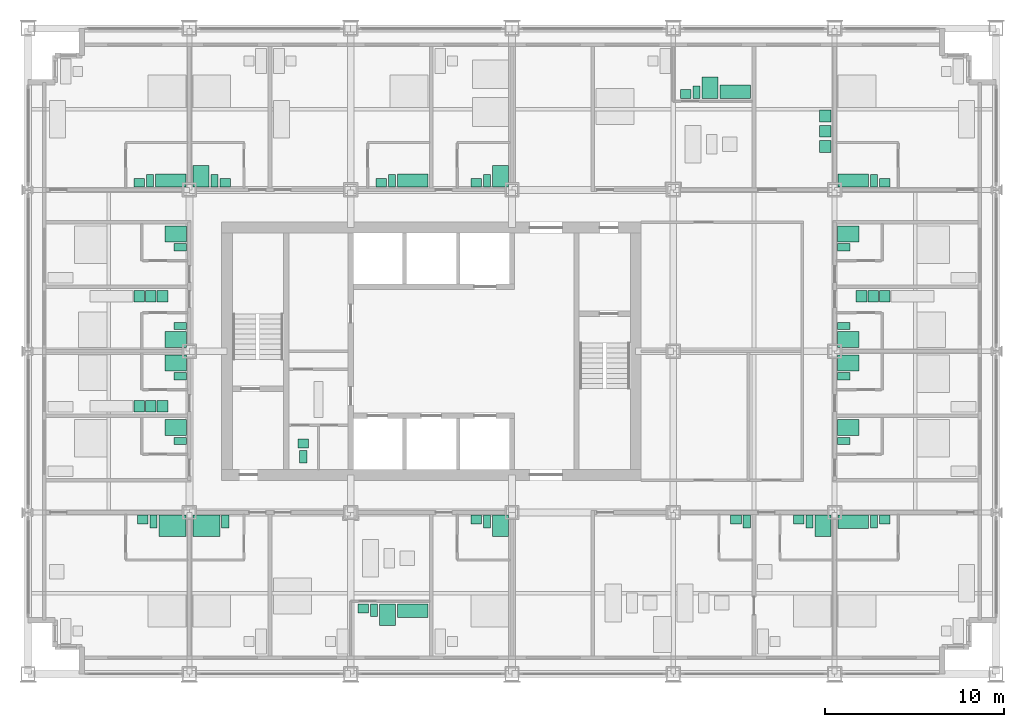
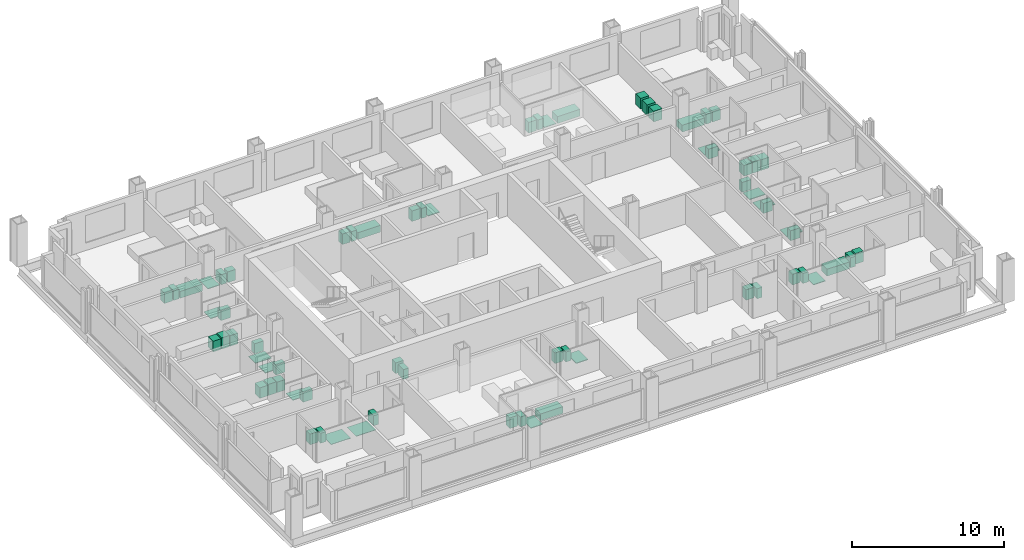
# One storey, part 17 of 18: 57 sanitary terminals, 12 electric appliances.
"""IFC4 building model written with IfcOpenShell, lengths in metres."""

from ifc_helpers import new_model, si_unit, direction, frame, origin, origin_2d, place, context, subcontext, project, spatial, rectangle, extrude, element, save


model = new_model("IFC4")

# Units and contexts
model_context = context("Model", 3, precision=1e-05, world=origin(), true_north=direction((0.0, 1.0)))
body_context = subcontext(model_context, "Body", "Model", "MODEL_VIEW")
ifc_project = project(units=[si_unit("LENGTHUNIT", "METRE"), si_unit("AREAUNIT", "SQUARE_METRE"), si_unit("VOLUMEUNIT", "CUBIC_METRE"), si_unit("PLANEANGLEUNIT", "RADIAN"), si_unit("MASSUNIT", "GRAM", prefix="KILO")], contexts=[model_context])

# Site, building, storey
site_placement = place(None, origin())
site = spatial("IfcSite", under=ifc_project, at=site_placement, CompositionType="ELEMENT")
building_placement = place(site_placement, origin())
building = spatial("IfcBuilding", under=site, at=building_placement, Name="Loomwork Tower", CompositionType="ELEMENT")
storey_placement = place(building_placement, frame((0.0, 0.0, 55.199951171875)))
storey = spatial("IfcBuildingStorey", under=building, at=storey_placement, Name="L13", CompositionType="ELEMENT", Elevation=55.199951171875)

# Sanitary terminals
sanitary_terminal_1_placement = place(storey_placement, frame((8.050048828125, 8.25, 0.0), z_axis=(0.0, 0.0, 1.0), x_axis=(1.0, 0.0, 0.0)))
element("IfcSanitaryTerminal", 1, at=sanitary_terminal_1_placement, inside=storey, Name="Roll-in shower floor L13", PredefinedType="SHOWER", context=body_context, shape_type="SweptSolid", body=[
    extrude(rectangle(XDim=1.5, YDim=1.199951171875, at=origin_2d()), origin(), (0.0, 0.0, 1.0), 0.030029296875),
])
sanitary_terminal_2_placement = place(storey_placement, frame((7.0, 8.5, 0.0), z_axis=(0.0, 0.0, 1.0), x_axis=(1.0, 0.0, 0.0)))
element("IfcSanitaryTerminal", 2, at=sanitary_terminal_2_placement, inside=storey, Name="WC L13", PredefinedType="TOILETPAN", context=body_context, shape_type="SweptSolid", body=[
    extrude(rectangle(XDim=0.39990234375, YDim=0.699951171875, at=origin_2d()), origin(), (0.0, 0.0, 1.0), 0.800048828125),
])
sanitary_terminal_3_placement = place(storey_placement, frame((6.39990234375, 8.60009765625, 0.0), z_axis=(0.0, 0.0, 1.0), x_axis=(1.0, 0.0, 0.0)))
element("IfcSanitaryTerminal", 3, at=sanitary_terminal_3_placement, inside=storey, Name="Basin vanity L13", PredefinedType="WASHHANDBASIN", context=body_context, shape_type="SweptSolid", body=[
    extrude(rectangle(XDim=0.60009765625, YDim=0.5, at=origin_2d()), origin(), (0.0, 0.0, 1.0), 0.85009765625),
])
sanitary_terminal_4_placement = place(storey_placement, frame((9.949951171875, 8.25, 0.0), z_axis=(0.0, 0.0, 1.0), x_axis=(1.0, 0.0, 0.0)))
element("IfcSanitaryTerminal", 4, at=sanitary_terminal_4_placement, inside=storey, Name="Roll-in shower floor L13", PredefinedType="SHOWER", context=body_context, shape_type="SweptSolid", body=[
    extrude(rectangle(XDim=1.5, YDim=1.199951171875, at=origin_2d()), origin(), (0.0, 0.0, 1.0), 0.030029296875),
])
sanitary_terminal_5_placement = place(storey_placement, frame((11.0, 8.5, 0.0), z_axis=(0.0, 0.0, 1.0), x_axis=(1.0, 0.0, 0.0)))
element("IfcSanitaryTerminal", 5, at=sanitary_terminal_5_placement, inside=storey, Name="WC L13", PredefinedType="TOILETPAN", context=body_context, shape_type="SweptSolid", body=[
    extrude(rectangle(XDim=0.39990234375, YDim=0.699951171875, at=origin_2d()), origin(), (0.0, 0.0, 1.0), 0.800048828125),
])
sanitary_terminal_6_placement = place(storey_placement, frame((21.449951171875, 3.52490234375, 0.0), z_axis=(0.0, 0.0, 1.0), x_axis=(1.0, 0.0, 0.0)))
element("IfcSanitaryTerminal", 6, at=sanitary_terminal_6_placement, inside=storey, Name="Bath L13", PredefinedType="BATH", context=body_context, shape_type="SweptSolid", body=[
    extrude(rectangle(XDim=1.699951171875, YDim=0.75, at=origin_2d()), origin(), (0.0, 0.0, 1.0), 0.550048828125),
])
sanitary_terminal_7_placement = place(storey_placement, frame((20.050048828125, 3.300048828125, 0.0), z_axis=(0.0, 0.0, 1.0), x_axis=(1.0, 0.0, 0.0)))
element("IfcSanitaryTerminal", 7, at=sanitary_terminal_7_placement, inside=storey, Name="Shower tray L13", PredefinedType="SHOWER", context=body_context, shape_type="SweptSolid", body=[
    extrude(rectangle(XDim=0.89990234375, YDim=1.199951171875, at=origin_2d()), origin(), (0.0, 0.0, 1.0), 0.050048828125),
])
sanitary_terminal_8_placement = place(storey_placement, frame((19.300048828125, 3.550048828125, 0.0), z_axis=(0.0, 0.0, 1.0), x_axis=(1.0, 0.0, 0.0)))
element("IfcSanitaryTerminal", 8, at=sanitary_terminal_8_placement, inside=storey, Name="WC L13", PredefinedType="TOILETPAN", context=body_context, shape_type="SweptSolid", body=[
    extrude(rectangle(XDim=0.39990234375, YDim=0.699951171875, at=origin_2d()), origin(), (0.0, 0.0, 1.0), 0.800048828125),
])
sanitary_terminal_9_placement = place(storey_placement, frame((18.699951171875, 3.64990234375, 0.0), z_axis=(0.0, 0.0, 1.0), x_axis=(1.0, 0.0, 0.0)))
element("IfcSanitaryTerminal", 9, at=sanitary_terminal_9_placement, inside=storey, Name="Basin vanity L13", PredefinedType="WASHHANDBASIN", context=body_context, shape_type="SweptSolid", body=[
    extrude(rectangle(XDim=0.60009765625, YDim=0.5, at=origin_2d()), origin(), (0.0, 0.0, 1.0), 0.85009765625),
])
sanitary_terminal_10_placement = place(storey_placement, frame((26.35009765625, 8.25, 0.0), z_axis=(0.0, 0.0, 1.0), x_axis=(1.0, 0.0, 0.0)))
element("IfcSanitaryTerminal", 10, at=sanitary_terminal_10_placement, inside=storey, Name="Shower tray L13", PredefinedType="SHOWER", context=body_context, shape_type="SweptSolid", body=[
    extrude(rectangle(XDim=0.89990234375, YDim=1.199951171875, at=origin_2d()), origin(), (0.0, 0.0, 1.0), 0.050048828125),
])
sanitary_terminal_11_placement = place(storey_placement, frame((25.60009765625, 8.5, 0.0), z_axis=(0.0, 0.0, 1.0), x_axis=(1.0, 0.0, 0.0)))
element("IfcSanitaryTerminal", 11, at=sanitary_terminal_11_placement, inside=storey, Name="WC L13", PredefinedType="TOILETPAN", context=body_context, shape_type="SweptSolid", body=[
    extrude(rectangle(XDim=0.39990234375, YDim=0.699951171875, at=origin_2d()), origin(), (0.0, 0.0, 1.0), 0.800048828125),
])
sanitary_terminal_12_placement = place(storey_placement, frame((25.0, 8.60009765625, 0.0), z_axis=(0.0, 0.0, 1.0), x_axis=(1.0, 0.0, 0.0)))
element("IfcSanitaryTerminal", 12, at=sanitary_terminal_12_placement, inside=storey, Name="Basin vanity L13", PredefinedType="WASHHANDBASIN", context=body_context, shape_type="SweptSolid", body=[
    extrude(rectangle(XDim=0.60009765625, YDim=0.5, at=origin_2d()), origin(), (0.0, 0.0, 1.0), 0.85009765625),
])
sanitary_terminal_13_placement = place(storey_placement, frame((40.10009765625, 8.5, 0.0), z_axis=(0.0, 0.0, 1.0), x_axis=(1.0, 0.0, 0.0)))
element("IfcSanitaryTerminal", 13, at=sanitary_terminal_13_placement, inside=storey, Name="WC L13", PredefinedType="TOILETPAN", context=body_context, shape_type="SweptSolid", body=[
    extrude(rectangle(XDim=0.39990234375, YDim=0.699951171875, at=origin_2d()), origin(), (0.0, 0.0, 1.0), 0.800048828125),
])
sanitary_terminal_14_placement = place(storey_placement, frame((39.5, 8.60009765625, 0.0), z_axis=(0.0, 0.0, 1.0), x_axis=(1.0, 0.0, 0.0)))
element("IfcSanitaryTerminal", 14, at=sanitary_terminal_14_placement, inside=storey, Name="Basin vanity L13", PredefinedType="WASHHANDBASIN", context=body_context, shape_type="SweptSolid", body=[
    extrude(rectangle(XDim=0.60009765625, YDim=0.5, at=origin_2d()), origin(), (0.0, 0.0, 1.0), 0.85009765625),
])
sanitary_terminal_15_placement = place(storey_placement, frame((44.35009765625, 8.25, 0.0), z_axis=(0.0, 0.0, 1.0), x_axis=(1.0, 0.0, 0.0)))
element("IfcSanitaryTerminal", 15, at=sanitary_terminal_15_placement, inside=storey, Name="Shower tray L13", PredefinedType="SHOWER", context=body_context, shape_type="SweptSolid", body=[
    extrude(rectangle(XDim=0.89990234375, YDim=1.199951171875, at=origin_2d()), origin(), (0.0, 0.0, 1.0), 0.050048828125),
])
sanitary_terminal_16_placement = place(storey_placement, frame((43.60009765625, 8.5, 0.0), z_axis=(0.0, 0.0, 1.0), x_axis=(1.0, 0.0, 0.0)))
element("IfcSanitaryTerminal", 16, at=sanitary_terminal_16_placement, inside=storey, Name="WC L13", PredefinedType="TOILETPAN", context=body_context, shape_type="SweptSolid", body=[
    extrude(rectangle(XDim=0.39990234375, YDim=0.699951171875, at=origin_2d()), origin(), (0.0, 0.0, 1.0), 0.800048828125),
])
sanitary_terminal_17_placement = place(storey_placement, frame((43.0, 8.60009765625, 0.0), z_axis=(0.0, 0.0, 1.0), x_axis=(1.0, 0.0, 0.0)))
element("IfcSanitaryTerminal", 17, at=sanitary_terminal_17_placement, inside=storey, Name="Basin vanity L13", PredefinedType="WASHHANDBASIN", context=body_context, shape_type="SweptSolid", body=[
    extrude(rectangle(XDim=0.60009765625, YDim=0.5, at=origin_2d()), origin(), (0.0, 0.0, 1.0), 0.85009765625),
])
sanitary_terminal_18_placement = place(storey_placement, frame((46.050048828125, 8.47509765625, 0.0), z_axis=(0.0, 0.0, 1.0), x_axis=(1.0, 0.0, 0.0)))
element("IfcSanitaryTerminal", 18, at=sanitary_terminal_18_placement, inside=storey, Name="Bath L13", PredefinedType="BATH", context=body_context, shape_type="SweptSolid", body=[
    extrude(rectangle(XDim=1.699951171875, YDim=0.75, at=origin_2d()), origin(), (0.0, 0.0, 1.0), 0.550048828125),
])
sanitary_terminal_19_placement = place(storey_placement, frame((47.199951171875, 8.5, 0.0), z_axis=(0.0, 0.0, 1.0), x_axis=(1.0, 0.0, 0.0)))
element("IfcSanitaryTerminal", 19, at=sanitary_terminal_19_placement, inside=storey, Name="WC L13", PredefinedType="TOILETPAN", context=body_context, shape_type="SweptSolid", body=[
    extrude(rectangle(XDim=0.39990234375, YDim=0.699951171875, at=origin_2d()), origin(), (0.0, 0.0, 1.0), 0.800048828125),
])
sanitary_terminal_20_placement = place(storey_placement, frame((47.800048828125, 8.60009765625, 0.0), z_axis=(0.0, 0.0, 1.0), x_axis=(1.0, 0.0, 0.0)))
element("IfcSanitaryTerminal", 20, at=sanitary_terminal_20_placement, inside=storey, Name="Basin vanity L13", PredefinedType="WASHHANDBASIN", context=body_context, shape_type="SweptSolid", body=[
    extrude(rectangle(XDim=0.60009765625, YDim=0.5, at=origin_2d()), origin(), (0.0, 0.0, 1.0), 0.85009765625),
])
sanitary_terminal_21_placement = place(storey_placement, frame((7.949951171875, 27.52490234375, 0.0), z_axis=(0.0, 0.0, 1.0), x_axis=(1.0, 0.0, 0.0)))
element("IfcSanitaryTerminal", 21, at=sanitary_terminal_21_placement, inside=storey, Name="Bath L13", PredefinedType="BATH", context=body_context, shape_type="SweptSolid", body=[
    extrude(rectangle(XDim=1.699951171875, YDim=0.75, at=origin_2d()), origin(), (0.0, 0.0, 1.0), 0.550048828125),
])
sanitary_terminal_22_placement = place(storey_placement, frame((6.800048828125, 27.5, 0.0), z_axis=(0.0, 0.0, 1.0), x_axis=(1.0, 0.0, 0.0)))
element("IfcSanitaryTerminal", 22, at=sanitary_terminal_22_placement, inside=storey, Name="WC L13", PredefinedType="TOILETPAN", context=body_context, shape_type="SweptSolid", body=[
    extrude(rectangle(XDim=0.39990234375, YDim=0.699951171875, at=origin_2d()), origin(), (0.0, 0.0, 1.0), 0.800048828125),
])
sanitary_terminal_23_placement = place(storey_placement, frame((6.199951171875, 27.39990234375, 0.0), z_axis=(0.0, 0.0, 1.0), x_axis=(1.0, 0.0, 0.0)))
element("IfcSanitaryTerminal", 23, at=sanitary_terminal_23_placement, inside=storey, Name="Basin vanity L13", PredefinedType="WASHHANDBASIN", context=body_context, shape_type="SweptSolid", body=[
    extrude(rectangle(XDim=0.60009765625, YDim=0.5, at=origin_2d()), origin(), (0.0, 0.0, 1.0), 0.85009765625),
])
sanitary_terminal_24_placement = place(storey_placement, frame((9.64990234375, 27.75, 0.0), z_axis=(0.0, 0.0, 1.0), x_axis=(1.0, 0.0, 0.0)))
element("IfcSanitaryTerminal", 24, at=sanitary_terminal_24_placement, inside=storey, Name="Shower tray L13", PredefinedType="SHOWER", context=body_context, shape_type="SweptSolid", body=[
    extrude(rectangle(XDim=0.89990234375, YDim=1.199951171875, at=origin_2d()), origin(), (0.0, 0.0, 1.0), 0.050048828125),
])
sanitary_terminal_25_placement = place(storey_placement, frame((10.39990234375, 27.5, 0.0), z_axis=(0.0, 0.0, 1.0), x_axis=(1.0, 0.0, 0.0)))
element("IfcSanitaryTerminal", 25, at=sanitary_terminal_25_placement, inside=storey, Name="WC L13", PredefinedType="TOILETPAN", context=body_context, shape_type="SweptSolid", body=[
    extrude(rectangle(XDim=0.39990234375, YDim=0.699951171875, at=origin_2d()), origin(), (0.0, 0.0, 1.0), 0.800048828125),
])
sanitary_terminal_26_placement = place(storey_placement, frame((11.0, 27.39990234375, 0.0), z_axis=(0.0, 0.0, 1.0), x_axis=(1.0, 0.0, 0.0)))
element("IfcSanitaryTerminal", 26, at=sanitary_terminal_26_placement, inside=storey, Name="Basin vanity L13", PredefinedType="WASHHANDBASIN", context=body_context, shape_type="SweptSolid", body=[
    extrude(rectangle(XDim=0.60009765625, YDim=0.5, at=origin_2d()), origin(), (0.0, 0.0, 1.0), 0.85009765625),
])
sanitary_terminal_27_placement = place(storey_placement, frame((21.449951171875, 27.52490234375, 0.0), z_axis=(0.0, 0.0, 1.0), x_axis=(1.0, 0.0, 0.0)))
element("IfcSanitaryTerminal", 27, at=sanitary_terminal_27_placement, inside=storey, Name="Bath L13", PredefinedType="BATH", context=body_context, shape_type="SweptSolid", body=[
    extrude(rectangle(XDim=1.699951171875, YDim=0.75, at=origin_2d()), origin(), (0.0, 0.0, 1.0), 0.550048828125),
])
sanitary_terminal_28_placement = place(storey_placement, frame((20.300048828125, 27.5, 0.0), z_axis=(0.0, 0.0, 1.0), x_axis=(1.0, 0.0, 0.0)))
element("IfcSanitaryTerminal", 28, at=sanitary_terminal_28_placement, inside=storey, Name="WC L13", PredefinedType="TOILETPAN", context=body_context, shape_type="SweptSolid", body=[
    extrude(rectangle(XDim=0.39990234375, YDim=0.699951171875, at=origin_2d()), origin(), (0.0, 0.0, 1.0), 0.800048828125),
])
sanitary_terminal_29_placement = place(storey_placement, frame((19.699951171875, 27.39990234375, 0.0), z_axis=(0.0, 0.0, 1.0), x_axis=(1.0, 0.0, 0.0)))
element("IfcSanitaryTerminal", 29, at=sanitary_terminal_29_placement, inside=storey, Name="Basin vanity L13", PredefinedType="WASHHANDBASIN", context=body_context, shape_type="SweptSolid", body=[
    extrude(rectangle(XDim=0.60009765625, YDim=0.5, at=origin_2d()), origin(), (0.0, 0.0, 1.0), 0.85009765625),
])
sanitary_terminal_30_placement = place(storey_placement, frame((26.35009765625, 27.75, 0.0), z_axis=(0.0, 0.0, 1.0), x_axis=(1.0, 0.0, 0.0)))
element("IfcSanitaryTerminal", 30, at=sanitary_terminal_30_placement, inside=storey, Name="Shower tray L13", PredefinedType="SHOWER", context=body_context, shape_type="SweptSolid", body=[
    extrude(rectangle(XDim=0.89990234375, YDim=1.199951171875, at=origin_2d()), origin(), (0.0, 0.0, 1.0), 0.050048828125),
])
sanitary_terminal_31_placement = place(storey_placement, frame((25.60009765625, 27.5, 0.0), z_axis=(0.0, 0.0, 1.0), x_axis=(1.0, 0.0, 0.0)))
element("IfcSanitaryTerminal", 31, at=sanitary_terminal_31_placement, inside=storey, Name="WC L13", PredefinedType="TOILETPAN", context=body_context, shape_type="SweptSolid", body=[
    extrude(rectangle(XDim=0.39990234375, YDim=0.699951171875, at=origin_2d()), origin(), (0.0, 0.0, 1.0), 0.800048828125),
])
sanitary_terminal_32_placement = place(storey_placement, frame((25.0, 27.39990234375, 0.0), z_axis=(0.0, 0.0, 1.0), x_axis=(1.0, 0.0, 0.0)))
element("IfcSanitaryTerminal", 32, at=sanitary_terminal_32_placement, inside=storey, Name="Basin vanity L13", PredefinedType="WASHHANDBASIN", context=body_context, shape_type="SweptSolid", body=[
    extrude(rectangle(XDim=0.60009765625, YDim=0.5, at=origin_2d()), origin(), (0.0, 0.0, 1.0), 0.85009765625),
])
sanitary_terminal_33_placement = place(storey_placement, frame((39.449951171875, 32.47509765625, 0.0), z_axis=(0.0, 0.0, 1.0), x_axis=(1.0, 0.0, 0.0)))
element("IfcSanitaryTerminal", 33, at=sanitary_terminal_33_placement, inside=storey, Name="Bath L13", PredefinedType="BATH", context=body_context, shape_type="SweptSolid", body=[
    extrude(rectangle(XDim=1.699951171875, YDim=0.75, at=origin_2d()), origin(), (0.0, 0.0, 1.0), 0.550048828125),
])
sanitary_terminal_34_placement = place(storey_placement, frame((38.050048828125, 32.699951171875, 0.0), z_axis=(0.0, 0.0, 1.0), x_axis=(1.0, 0.0, 0.0)))
element("IfcSanitaryTerminal", 34, at=sanitary_terminal_34_placement, inside=storey, Name="Shower tray L13", PredefinedType="SHOWER", context=body_context, shape_type="SweptSolid", body=[
    extrude(rectangle(XDim=0.89990234375, YDim=1.199951171875, at=origin_2d()), origin(), (0.0, 0.0, 1.0), 0.050048828125),
])
sanitary_terminal_35_placement = place(storey_placement, frame((37.300048828125, 32.449951171875, 0.0), z_axis=(0.0, 0.0, 1.0), x_axis=(1.0, 0.0, 0.0)))
element("IfcSanitaryTerminal", 35, at=sanitary_terminal_35_placement, inside=storey, Name="WC L13", PredefinedType="TOILETPAN", context=body_context, shape_type="SweptSolid", body=[
    extrude(rectangle(XDim=0.39990234375, YDim=0.699951171875, at=origin_2d()), origin(), (0.0, 0.0, 1.0), 0.800048828125),
])
sanitary_terminal_36_placement = place(storey_placement, frame((36.699951171875, 32.35009765625, 0.0), z_axis=(0.0, 0.0, 1.0), x_axis=(1.0, 0.0, 0.0)))
element("IfcSanitaryTerminal", 36, at=sanitary_terminal_36_placement, inside=storey, Name="Basin vanity L13", PredefinedType="WASHHANDBASIN", context=body_context, shape_type="SweptSolid", body=[
    extrude(rectangle(XDim=0.60009765625, YDim=0.5, at=origin_2d()), origin(), (0.0, 0.0, 1.0), 0.85009765625),
])

# Electric appliances
electric_appliance_1_placement = place(storey_placement, frame((44.47509765625, 29.425048828125, 0.0), z_axis=(0.0, 0.0, 1.0), x_axis=(1.0, 0.0, 0.0)))
element("IfcElectricAppliance", 37, at=electric_appliance_1_placement, inside=storey, Name="Washing machine L13", PredefinedType="WASHINGMACHINE", context=body_context, shape_type="SweptSolid", body=[
    extrude(rectangle(XDim=0.64990234375, YDim=0.64990234375, at=origin_2d()), origin(), (0.0, 0.0, 1.0), 0.85009765625),
])
electric_appliance_2_placement = place(storey_placement, frame((44.47509765625, 30.27490234375, 0.0), z_axis=(0.0, 0.0, 1.0), x_axis=(1.0, 0.0, 0.0)))
element("IfcElectricAppliance", 38, at=electric_appliance_2_placement, inside=storey, Name="Tumble dryer L13", PredefinedType="TUMBLEDRYER", context=body_context, shape_type="SweptSolid", body=[
    extrude(rectangle(XDim=0.64990234375, YDim=0.64990234375, at=origin_2d()), origin(), (0.0, 0.0, 1.0), 0.85009765625),
])
electric_appliance_3_placement = place(storey_placement, frame((44.47509765625, 31.125, 0.0), z_axis=(0.0, 0.0, 1.0), x_axis=(1.0, 0.0, 0.0)))
element("IfcElectricAppliance", 39, at=electric_appliance_3_placement, inside=storey, Name="Washing machine L13", PredefinedType="WASHINGMACHINE", context=body_context, shape_type="SweptSolid", body=[
    extrude(rectangle(XDim=0.64990234375, YDim=0.64990234375, at=origin_2d()), origin(), (0.0, 0.0, 1.0), 0.85009765625),
])

# Sanitary terminals
sanitary_terminal_37_placement = place(storey_placement, frame((46.050048828125, 27.52490234375, 0.0), z_axis=(0.0, 0.0, 1.0), x_axis=(1.0, 0.0, 0.0)))
element("IfcSanitaryTerminal", 40, at=sanitary_terminal_37_placement, inside=storey, Name="Bath L13", PredefinedType="BATH", context=body_context, shape_type="SweptSolid", body=[
    extrude(rectangle(XDim=1.699951171875, YDim=0.75, at=origin_2d()), origin(), (0.0, 0.0, 1.0), 0.550048828125),
])
sanitary_terminal_38_placement = place(storey_placement, frame((47.199951171875, 27.5, 0.0), z_axis=(0.0, 0.0, 1.0), x_axis=(1.0, 0.0, 0.0)))
element("IfcSanitaryTerminal", 41, at=sanitary_terminal_38_placement, inside=storey, Name="WC L13", PredefinedType="TOILETPAN", context=body_context, shape_type="SweptSolid", body=[
    extrude(rectangle(XDim=0.39990234375, YDim=0.699951171875, at=origin_2d()), origin(), (0.0, 0.0, 1.0), 0.800048828125),
])
sanitary_terminal_39_placement = place(storey_placement, frame((47.800048828125, 27.39990234375, 0.0), z_axis=(0.0, 0.0, 1.0), x_axis=(1.0, 0.0, 0.0)))
element("IfcSanitaryTerminal", 42, at=sanitary_terminal_39_placement, inside=storey, Name="Basin vanity L13", PredefinedType="WASHHANDBASIN", context=body_context, shape_type="SweptSolid", body=[
    extrude(rectangle(XDim=0.60009765625, YDim=0.5, at=origin_2d()), origin(), (0.0, 0.0, 1.0), 0.85009765625),
])
sanitary_terminal_40_placement = place(storey_placement, frame((8.25, 13.75, 0.0), z_axis=(0.0, 0.0, 1.0), x_axis=(1.0, 0.0, 0.0)))
element("IfcSanitaryTerminal", 43, at=sanitary_terminal_40_placement, inside=storey, Name="Shower tray L13", PredefinedType="SHOWER", context=body_context, shape_type="SweptSolid", body=[
    extrude(rectangle(XDim=1.199951171875, YDim=0.89990234375, at=origin_2d()), origin(), (0.0, 0.0, 1.0), 0.050048828125),
])
sanitary_terminal_41_placement = place(storey_placement, frame((8.5, 13.0, 0.0), z_axis=(0.0, 0.0, 1.0), x_axis=(1.0, 0.0, 0.0)))
element("IfcSanitaryTerminal", 44, at=sanitary_terminal_41_placement, inside=storey, Name="WC L13", PredefinedType="TOILETPAN", context=body_context, shape_type="SweptSolid", body=[
    extrude(rectangle(XDim=0.699951171875, YDim=0.39990234375, at=origin_2d()), origin(), (0.0, 0.0, 1.0), 0.800048828125),
])
sanitary_terminal_42_placement = place(storey_placement, frame((8.25, 17.35009765625, 0.0), z_axis=(0.0, 0.0, 1.0), x_axis=(1.0, 0.0, 0.0)))
element("IfcSanitaryTerminal", 45, at=sanitary_terminal_42_placement, inside=storey, Name="Shower tray L13", PredefinedType="SHOWER", context=body_context, shape_type="SweptSolid", body=[
    extrude(rectangle(XDim=1.199951171875, YDim=0.89990234375, at=origin_2d()), origin(), (0.0, 0.0, 1.0), 0.050048828125),
])
sanitary_terminal_43_placement = place(storey_placement, frame((8.5, 16.60009765625, 0.0), z_axis=(0.0, 0.0, 1.0), x_axis=(1.0, 0.0, 0.0)))
element("IfcSanitaryTerminal", 46, at=sanitary_terminal_43_placement, inside=storey, Name="WC L13", PredefinedType="TOILETPAN", context=body_context, shape_type="SweptSolid", body=[
    extrude(rectangle(XDim=0.699951171875, YDim=0.39990234375, at=origin_2d()), origin(), (0.0, 0.0, 1.0), 0.800048828125),
])

# Electric appliances
electric_appliance_4_placement = place(storey_placement, frame((7.5, 14.925048828125, 0.0), z_axis=(0.0, 0.0, 1.0), x_axis=(1.0, 0.0, 0.0)))
element("IfcElectricAppliance", 47, at=electric_appliance_4_placement, inside=storey, Name="Refrigerator L13", PredefinedType="REFRIGERATOR", context=body_context, shape_type="SweptSolid", body=[
    extrude(rectangle(XDim=0.60009765625, YDim=0.64990234375, at=origin_2d()), origin(), (0.0, 0.0, 1.0), 0.85009765625),
])
electric_appliance_5_placement = place(storey_placement, frame((6.85009765625, 14.925048828125, 0.0), z_axis=(0.0, 0.0, 1.0), x_axis=(1.0, 0.0, 0.0)))
element("IfcElectricAppliance", 48, at=electric_appliance_5_placement, inside=storey, Name="Two-ring cooktop and oven L13", PredefinedType="ELECTRICCOOKER", context=body_context, shape_type="SweptSolid", body=[
    extrude(rectangle(XDim=0.60009765625, YDim=0.64990234375, at=origin_2d()), origin(), (0.0, 0.0, 1.0), 0.89990234375),
])
electric_appliance_6_placement = place(storey_placement, frame((6.199951171875, 14.925048828125, 0.0), z_axis=(0.0, 0.0, 1.0), x_axis=(1.0, 0.0, 0.0)))
element("IfcElectricAppliance", 49, at=electric_appliance_6_placement, inside=storey, Name="Dishwasher L13", PredefinedType="DISHWASHER", context=body_context, shape_type="SweptSolid", body=[
    extrude(rectangle(XDim=0.60009765625, YDim=0.64990234375, at=origin_2d()), origin(), (0.0, 0.0, 1.0), 0.85009765625),
])

# Sanitary terminals
sanitary_terminal_44_placement = place(storey_placement, frame((8.25, 18.64990234375, 0.0), z_axis=(0.0, 0.0, 1.0), x_axis=(1.0, 0.0, 0.0)))
element("IfcSanitaryTerminal", 50, at=sanitary_terminal_44_placement, inside=storey, Name="Shower tray L13", PredefinedType="SHOWER", context=body_context, shape_type="SweptSolid", body=[
    extrude(rectangle(XDim=1.199951171875, YDim=0.89990234375, at=origin_2d()), origin(), (0.0, 0.0, 1.0), 0.050048828125),
])
sanitary_terminal_45_placement = place(storey_placement, frame((8.5, 19.39990234375, 0.0), z_axis=(0.0, 0.0, 1.0), x_axis=(1.0, 0.0, 0.0)))
element("IfcSanitaryTerminal", 51, at=sanitary_terminal_45_placement, inside=storey, Name="WC L13", PredefinedType="TOILETPAN", context=body_context, shape_type="SweptSolid", body=[
    extrude(rectangle(XDim=0.699951171875, YDim=0.39990234375, at=origin_2d()), origin(), (0.0, 0.0, 1.0), 0.800048828125),
])

# Electric appliances
electric_appliance_7_placement = place(storey_placement, frame((7.5, 21.074951171875, 0.0), z_axis=(0.0, 0.0, 1.0), x_axis=(1.0, 0.0, 0.0)))
element("IfcElectricAppliance", 52, at=electric_appliance_7_placement, inside=storey, Name="Refrigerator L13", PredefinedType="REFRIGERATOR", context=body_context, shape_type="SweptSolid", body=[
    extrude(rectangle(XDim=0.60009765625, YDim=0.64990234375, at=origin_2d()), origin(), (0.0, 0.0, 1.0), 0.85009765625),
])
electric_appliance_8_placement = place(storey_placement, frame((6.85009765625, 21.074951171875, 0.0), z_axis=(0.0, 0.0, 1.0), x_axis=(1.0, 0.0, 0.0)))
element("IfcElectricAppliance", 53, at=electric_appliance_8_placement, inside=storey, Name="Two-ring cooktop and oven L13", PredefinedType="ELECTRICCOOKER", context=body_context, shape_type="SweptSolid", body=[
    extrude(rectangle(XDim=0.60009765625, YDim=0.64990234375, at=origin_2d()), origin(), (0.0, 0.0, 1.0), 0.89990234375),
])
electric_appliance_9_placement = place(storey_placement, frame((6.199951171875, 21.074951171875, 0.0), z_axis=(0.0, 0.0, 1.0), x_axis=(1.0, 0.0, 0.0)))
element("IfcElectricAppliance", 54, at=electric_appliance_9_placement, inside=storey, Name="Dishwasher L13", PredefinedType="DISHWASHER", context=body_context, shape_type="SweptSolid", body=[
    extrude(rectangle(XDim=0.60009765625, YDim=0.64990234375, at=origin_2d()), origin(), (0.0, 0.0, 1.0), 0.85009765625),
])

# Sanitary terminals
sanitary_terminal_46_placement = place(storey_placement, frame((8.25, 24.550048828125, 0.0), z_axis=(0.0, 0.0, 1.0), x_axis=(1.0, 0.0, 0.0)))
element("IfcSanitaryTerminal", 55, at=sanitary_terminal_46_placement, inside=storey, Name="Shower tray L13", PredefinedType="SHOWER", context=body_context, shape_type="SweptSolid", body=[
    extrude(rectangle(XDim=1.199951171875, YDim=0.89990234375, at=origin_2d()), origin(), (0.0, 0.0, 1.0), 0.050048828125),
])
sanitary_terminal_47_placement = place(storey_placement, frame((8.5, 23.800048828125, 0.0), z_axis=(0.0, 0.0, 1.0), x_axis=(1.0, 0.0, 0.0)))
element("IfcSanitaryTerminal", 56, at=sanitary_terminal_47_placement, inside=storey, Name="WC L13", PredefinedType="TOILETPAN", context=body_context, shape_type="SweptSolid", body=[
    extrude(rectangle(XDim=0.699951171875, YDim=0.39990234375, at=origin_2d()), origin(), (0.0, 0.0, 1.0), 0.800048828125),
])
sanitary_terminal_48_placement = place(storey_placement, frame((45.75, 13.75, 0.0), z_axis=(0.0, 0.0, 1.0), x_axis=(1.0, 0.0, 0.0)))
element("IfcSanitaryTerminal", 57, at=sanitary_terminal_48_placement, inside=storey, Name="Shower tray L13", PredefinedType="SHOWER", context=body_context, shape_type="SweptSolid", body=[
    extrude(rectangle(XDim=1.199951171875, YDim=0.89990234375, at=origin_2d()), origin(), (0.0, 0.0, 1.0), 0.050048828125),
])
sanitary_terminal_49_placement = place(storey_placement, frame((45.5, 13.0, 0.0), z_axis=(0.0, 0.0, 1.0), x_axis=(1.0, 0.0, 0.0)))
element("IfcSanitaryTerminal", 58, at=sanitary_terminal_49_placement, inside=storey, Name="WC L13", PredefinedType="TOILETPAN", context=body_context, shape_type="SweptSolid", body=[
    extrude(rectangle(XDim=0.699951171875, YDim=0.39990234375, at=origin_2d()), origin(), (0.0, 0.0, 1.0), 0.800048828125),
])
sanitary_terminal_50_placement = place(storey_placement, frame((45.75, 17.35009765625, 0.0), z_axis=(0.0, 0.0, 1.0), x_axis=(1.0, 0.0, 0.0)))
element("IfcSanitaryTerminal", 59, at=sanitary_terminal_50_placement, inside=storey, Name="Shower tray L13", PredefinedType="SHOWER", context=body_context, shape_type="SweptSolid", body=[
    extrude(rectangle(XDim=1.199951171875, YDim=0.89990234375, at=origin_2d()), origin(), (0.0, 0.0, 1.0), 0.050048828125),
])
sanitary_terminal_51_placement = place(storey_placement, frame((45.5, 16.60009765625, 0.0), z_axis=(0.0, 0.0, 1.0), x_axis=(1.0, 0.0, 0.0)))
element("IfcSanitaryTerminal", 60, at=sanitary_terminal_51_placement, inside=storey, Name="WC L13", PredefinedType="TOILETPAN", context=body_context, shape_type="SweptSolid", body=[
    extrude(rectangle(XDim=0.699951171875, YDim=0.39990234375, at=origin_2d()), origin(), (0.0, 0.0, 1.0), 0.800048828125),
])
sanitary_terminal_52_placement = place(storey_placement, frame((45.75, 18.64990234375, 0.0), z_axis=(0.0, 0.0, 1.0), x_axis=(1.0, 0.0, 0.0)))
element("IfcSanitaryTerminal", 61, at=sanitary_terminal_52_placement, inside=storey, Name="Shower tray L13", PredefinedType="SHOWER", context=body_context, shape_type="SweptSolid", body=[
    extrude(rectangle(XDim=1.199951171875, YDim=0.89990234375, at=origin_2d()), origin(), (0.0, 0.0, 1.0), 0.050048828125),
])
sanitary_terminal_53_placement = place(storey_placement, frame((45.5, 19.39990234375, 0.0), z_axis=(0.0, 0.0, 1.0), x_axis=(1.0, 0.0, 0.0)))
element("IfcSanitaryTerminal", 62, at=sanitary_terminal_53_placement, inside=storey, Name="WC L13", PredefinedType="TOILETPAN", context=body_context, shape_type="SweptSolid", body=[
    extrude(rectangle(XDim=0.699951171875, YDim=0.39990234375, at=origin_2d()), origin(), (0.0, 0.0, 1.0), 0.800048828125),
])

# Electric appliances
electric_appliance_10_placement = place(storey_placement, frame((46.5, 21.074951171875, 0.0), z_axis=(0.0, 0.0, 1.0), x_axis=(1.0, 0.0, 0.0)))
element("IfcElectricAppliance", 63, at=electric_appliance_10_placement, inside=storey, Name="Refrigerator L13", PredefinedType="REFRIGERATOR", context=body_context, shape_type="SweptSolid", body=[
    extrude(rectangle(XDim=0.60009765625, YDim=0.64990234375, at=origin_2d()), origin(), (0.0, 0.0, 1.0), 0.85009765625),
])
electric_appliance_11_placement = place(storey_placement, frame((47.14990234375, 21.074951171875, 0.0), z_axis=(0.0, 0.0, 1.0), x_axis=(1.0, 0.0, 0.0)))
element("IfcElectricAppliance", 64, at=electric_appliance_11_placement, inside=storey, Name="Two-ring cooktop and oven L13", PredefinedType="ELECTRICCOOKER", context=body_context, shape_type="SweptSolid", body=[
    extrude(rectangle(XDim=0.60009765625, YDim=0.64990234375, at=origin_2d()), origin(), (0.0, 0.0, 1.0), 0.89990234375),
])
electric_appliance_12_placement = place(storey_placement, frame((47.800048828125, 21.074951171875, 0.0), z_axis=(0.0, 0.0, 1.0), x_axis=(1.0, 0.0, 0.0)))
element("IfcElectricAppliance", 65, at=electric_appliance_12_placement, inside=storey, Name="Dishwasher L13", PredefinedType="DISHWASHER", context=body_context, shape_type="SweptSolid", body=[
    extrude(rectangle(XDim=0.60009765625, YDim=0.64990234375, at=origin_2d()), origin(), (0.0, 0.0, 1.0), 0.85009765625),
])

# Sanitary terminals
sanitary_terminal_54_placement = place(storey_placement, frame((45.75, 24.550048828125, 0.0), z_axis=(0.0, 0.0, 1.0), x_axis=(1.0, 0.0, 0.0)))
element("IfcSanitaryTerminal", 66, at=sanitary_terminal_54_placement, inside=storey, Name="Shower tray L13", PredefinedType="SHOWER", context=body_context, shape_type="SweptSolid", body=[
    extrude(rectangle(XDim=1.199951171875, YDim=0.89990234375, at=origin_2d()), origin(), (0.0, 0.0, 1.0), 0.050048828125),
])
sanitary_terminal_55_placement = place(storey_placement, frame((45.5, 23.800048828125, 0.0), z_axis=(0.0, 0.0, 1.0), x_axis=(1.0, 0.0, 0.0)))
element("IfcSanitaryTerminal", 67, at=sanitary_terminal_55_placement, inside=storey, Name="WC L13", PredefinedType="TOILETPAN", context=body_context, shape_type="SweptSolid", body=[
    extrude(rectangle(XDim=0.699951171875, YDim=0.39990234375, at=origin_2d()), origin(), (0.0, 0.0, 1.0), 0.800048828125),
])
sanitary_terminal_56_placement = place(storey_placement, frame((15.35009765625, 12.10009765625, 0.0), z_axis=(0.0, 0.0, 1.0), x_axis=(1.0, 0.0, 0.0)))
element("IfcSanitaryTerminal", 68, at=sanitary_terminal_56_placement, inside=storey, Name="WC L13", PredefinedType="TOILETPAN", context=body_context, shape_type="SweptSolid", body=[
    extrude(rectangle(XDim=0.39990234375, YDim=0.699951171875, at=origin_2d()), origin(), (0.0, 0.0, 1.0), 0.800048828125),
])
sanitary_terminal_57_placement = place(storey_placement, frame((15.35009765625, 12.85009765625, 0.0), z_axis=(0.0, 0.0, 1.0), x_axis=(1.0, 0.0, 0.0)))
element("IfcSanitaryTerminal", 69, at=sanitary_terminal_57_placement, inside=storey, Name="Basin L13", PredefinedType="WASHHANDBASIN", context=body_context, shape_type="SweptSolid", body=[
    extrude(rectangle(XDim=0.60009765625, YDim=0.5, at=origin_2d()), origin(), (0.0, 0.0, 1.0), 0.85009765625),
])

save(model, "model.ifc")
